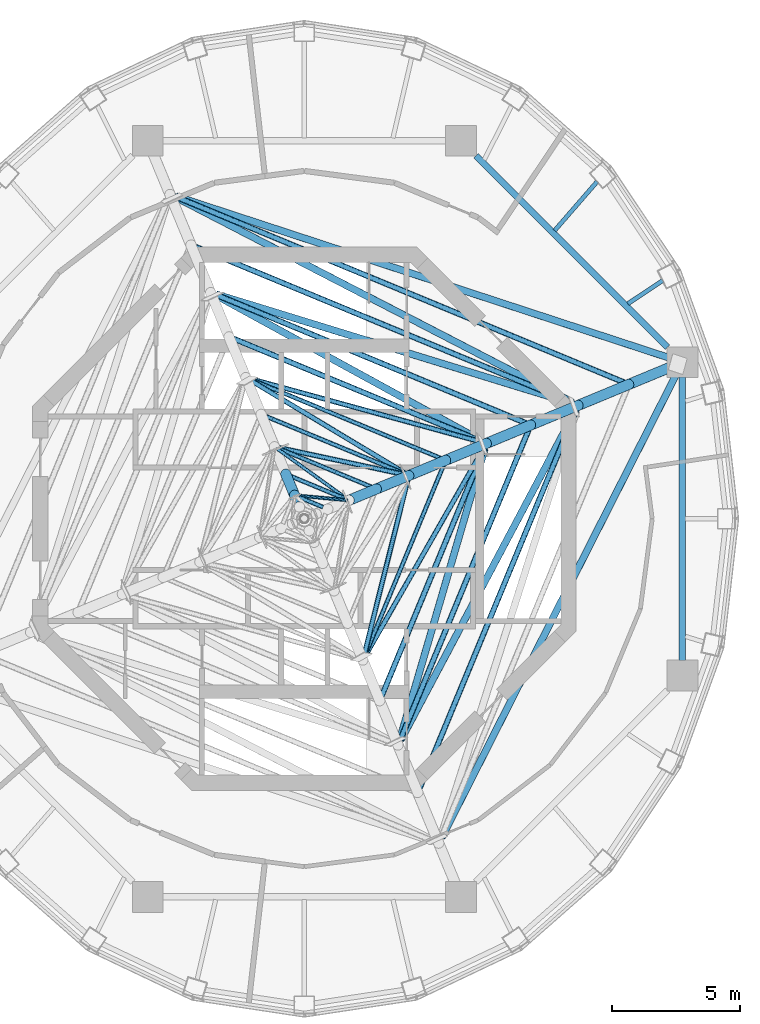
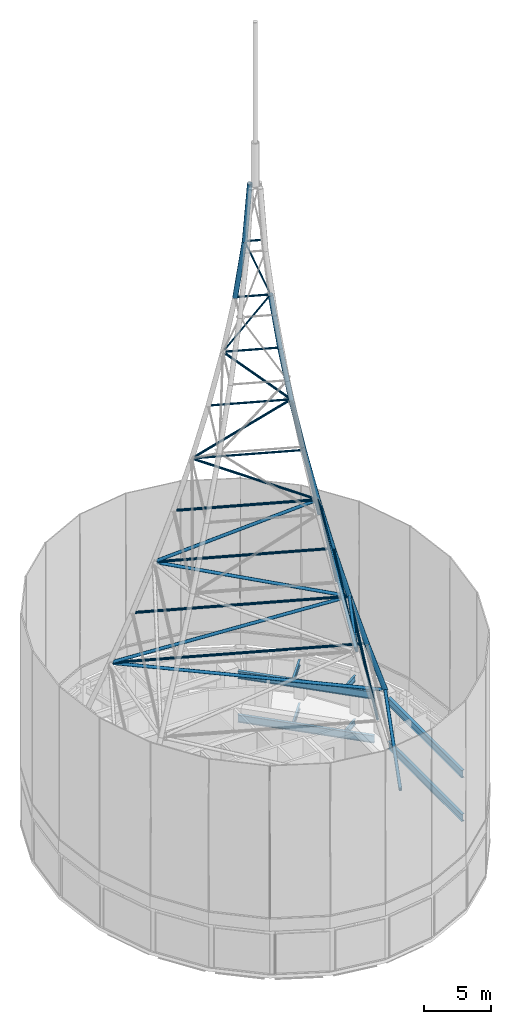
# One storey, part 14 of 25: 37 members, 8 beams.
"""IFC4 building model written with IfcOpenShell, lengths in metres."""

from ifc_helpers import new_model, si_unit, direction, frame, origin, origin_2d, place, context, subcontext, project, spatial, hollow_circle, i_section, extrude, material, material_profile, profile_set, type_object, element, save


model = new_model("IFC4")

# Units and contexts
model_context = context("Model", 3, precision=1e-05, world=origin(), true_north=direction((0.0, 1.0)))
body_context = subcontext(model_context, "Body", "Model", "MODEL_VIEW")
ifc_project = project(units=[si_unit("LENGTHUNIT", "METRE"), si_unit("AREAUNIT", "SQUARE_METRE"), si_unit("VOLUMEUNIT", "CUBIC_METRE"), si_unit("PLANEANGLEUNIT", "RADIAN"), si_unit("MASSUNIT", "GRAM", prefix="KILO")], contexts=[model_context])

# Site, building, storey
site_placement = place(None, origin())
site = spatial("IfcSite", under=ifc_project, at=site_placement, CompositionType="ELEMENT")
building_placement = place(site_placement, origin())
building = spatial("IfcBuilding", under=site, at=building_placement, Name="Nagisa Residences", CompositionType="ELEMENT")
storey_placement = place(building_placement, frame((0.0, 0.0, 340.89990234375)))
storey = spatial("IfcBuildingStorey", under=building, at=storey_placement, Name="L84", CompositionType="ELEMENT", Elevation=340.89990234375)

# Beams
ifc_material_1 = material(Name="Steel ASTM A572 Gr 50", Category="steel")
ifc_material_profile_1 = material_profile(ifc_material_1, i_section(OverallWidth=0.2529296875, OverallDepth=0.677978515625, WebThickness=0.01171875, FlangeThickness=0.016357421875, at=origin_2d()), Name="W690x125")
ifc_profile_set_1 = profile_set([ifc_material_profile_1], Name="Steel ASTM A572 Gr 50")
beam_type_1 = type_object("IfcBeamType", Name="Inner ring beam W690x125", PredefinedType="BEAM", material=ifc_profile_set_1)
beam_1_placement = place(storey_placement, frame((14.1962890625, 6.708740234375, -0.638916015625), z_axis=(-0.707106781187, 0.707106781187, 0.0), x_axis=(-0.707106781187, -0.707106781187, 0.0)))
element("IfcBeam", 1, at=beam_1_placement, inside=storey, type_object=beam_type_1, Name="beam:L84:ib1", PredefinedType="BEAM", context=body_context, shape_type="SweptSolid", body=[
    extrude(i_section(OverallWidth=0.2529296875, OverallDepth=0.677978515625, WebThickness=0.01171875, FlangeThickness=0.016357421875, at=origin_2d()), origin(), (0.0, 0.0, 1.0), 10.589111328125),
])
beam_2_placement = place(storey_placement, frame((14.781982421875, -5.54296875, -0.638916015625), z_axis=(0.0, 1.0, 0.0), x_axis=(-1.0, 0.0, 0.0)))
element("IfcBeam", 2, at=beam_2_placement, inside=storey, type_object=beam_type_1, Name="beam:L84:ib8", PredefinedType="BEAM", context=body_context, shape_type="SweptSolid", body=[
    extrude(i_section(OverallWidth=0.2529296875, OverallDepth=0.677978515625, WebThickness=0.01171875, FlangeThickness=0.016357421875, at=origin_2d()), origin(), (0.0, 0.0, 1.0), 11.0859375),
])
beam_3_placement = place(storey_placement, frame((14.1962890625, 6.708740234375, 3.361083984375), z_axis=(-0.707106781187, 0.707106781187, 0.0), x_axis=(-0.707106781187, -0.707106781187, 0.0)))
element("IfcBeam", 3, at=beam_3_placement, inside=storey, type_object=beam_type_1, Name="beam:L84:rib1", PredefinedType="BEAM", context=body_context, shape_type="SweptSolid", body=[
    extrude(i_section(OverallWidth=0.2529296875, OverallDepth=0.677978515625, WebThickness=0.01171875, FlangeThickness=0.016357421875, at=origin_2d()), origin(), (0.0, 0.0, 1.0), 10.589111328125),
])
beam_4_placement = place(storey_placement, frame((14.781982421875, -5.54296875, 3.361083984375), z_axis=(0.0, 1.0, 0.0), x_axis=(-1.0, 0.0, 0.0)))
element("IfcBeam", 4, at=beam_4_placement, inside=storey, type_object=beam_type_1, Name="beam:L84:rib8", PredefinedType="BEAM", context=body_context, shape_type="SweptSolid", body=[
    extrude(i_section(OverallWidth=0.2529296875, OverallDepth=0.677978515625, WebThickness=0.01171875, FlangeThickness=0.016357421875, at=origin_2d()), origin(), (0.0, 0.0, 1.0), 11.0859375),
])

# Members
ifc_material_2 = material(Name="Steel ASTM A572 Gr 50", Category="steel")
ifc_material_profile_2 = material_profile(ifc_material_2, hollow_circle(Radius=0.06982421875, WallThickness=0.0048828125, at=origin_2d()), Name="MAST BRACE CHS 139.7x5")
ifc_profile_set_2 = profile_set([ifc_material_profile_2], Name="Steel ASTM A572 Gr 50")
member_type_1 = type_object("IfcMemberType", Name="MAST BRACE CHS 139.7x5", PredefinedType="BRACE", material=ifc_profile_set_2)
member_1_placement = place(storey_placement, frame((-1.04541015625, 2.729736328125, 42.72998046875), z_axis=(0.443520526364, -0.318968018503, 0.837585187229), x_axis=(0.583862499156, 0.811852561787, 0.0)))
element("IfcMember", 5, at=member_1_placement, inside=storey, type_object=member_type_1, Name="Mast brace 8.1", PredefinedType="BRACE", context=body_context, shape_type="SweptSolid", body=[
    extrude(hollow_circle(Radius=0.06982421875, WallThickness=0.0048828125, at=origin_2d()), origin(), (0.0, 0.0, 1.0), 6.017578125),
])
member_2_placement = place(storey_placement, frame((1.646484375, 0.73193359375, 48.255859375), z_axis=(-0.360259980756, 0.032987331065, 0.932268514032), x_axis=(-0.091183894816, -0.995834071182, 0.0)))
element("IfcMember", 6, at=member_2_placement, inside=storey, type_object=member_type_1, Name="Mast brace 9.1", PredefinedType="BRACE", context=body_context, shape_type="SweptSolid", body=[
    extrude(hollow_circle(Radius=0.06982421875, WallThickness=0.0048828125, at=origin_2d()), origin(), (0.0, 0.0, 1.0), 5.35107421875),
])
ifc_material_3 = material(Name="Steel ASTM A572 Gr 50", Category="steel")
ifc_material_profile_3 = material_profile(ifc_material_3, hollow_circle(Radius=0.096923828125, WallThickness=0.008056640625, at=origin_2d()), Name="MAST BRACE CHS 193.7x8")
ifc_profile_set_3 = profile_set([ifc_material_profile_3], Name="Steel ASTM A572 Gr 50")
member_type_2 = type_object("IfcMemberType", Name="MAST BRACE CHS 193.7x8", PredefinedType="BRACE", material=ifc_profile_set_3)
for number, where, z_axis, x_axis, name in (
    (7, (6.888427734375, 3.011962890625, 26.134765625), (-0.840119997621, 0.230195109171, 0.491129923046), (-0.264262106498, -0.964450900289, 0.0), "Mast brace 5.1"),
    (8, (7.00048828125, 2.7412109375, 26.134765625), (-0.431263802223, -0.75683907636, 0.491127422759), (0.868843676353, -0.495086523813, 0.0), "Mast brace 5.4"),
):
    element("IfcMember", number, at=place(storey_placement, frame(where, z_axis=z_axis, x_axis=x_axis)), inside=storey, type_object=member_type_2, Name=name, PredefinedType="BRACE", context=body_context, shape_type="SweptSolid", body=[
        extrude(hollow_circle(Radius=0.096923828125, WallThickness=0.008056640625, at=origin_2d()), origin(), (0.0, 0.0, 1.0), 10.72998046875),
    ])
for number, where, z_axis, x_axis, name in (
    (9, (-2.10009765625, 5.4130859375, 31.6630859375), (0.68912796394, -0.414396849892, 0.594455969871), (0.515336820431, 0.856987725413, 0.0), "Mast brace 6.1"),
    (10, (2.342529296875, -5.3125, 31.6630859375), (0.194282795842, 0.780300971982, 0.594461595364), (-0.970373934134, 0.241608004738, 0.0), "Mast brace 6.4"),
):
    element("IfcMember", number, at=place(storey_placement, frame(where, z_axis=z_axis, x_axis=x_axis)), inside=storey, type_object=member_type_2, Name=name, PredefinedType="BRACE", context=body_context, shape_type="SweptSolid", body=[
        extrude(hollow_circle(Radius=0.096923828125, WallThickness=0.008056640625, at=origin_2d()), origin(), (0.0, 0.0, 1.0), 8.703369140625),
    ])
member_3_placement = place(storey_placement, frame((3.8994140625, 1.73291015625, 37.1962890625), z_axis=(-0.68330204208, 0.146241134606, 0.715340373416), x_axis=(-0.209281796845, -0.977855372491, 0.0)))
element("IfcMember", 11, at=member_3_placement, inside=storey, type_object=member_type_2, Name="Mast brace 7.1", PredefinedType="BRACE", context=body_context, shape_type="SweptSolid", body=[
    extrude(hollow_circle(Radius=0.096923828125, WallThickness=0.008056640625, at=origin_2d()), origin(), (0.0, 0.0, 1.0), 7.14013671875),
])
ifc_material_4 = material(Name="Steel ASTM A572 Gr 50", Category="steel")
ifc_material_profile_4 = material_profile(ifc_material_4, hollow_circle(Radius=0.136474609375, WallThickness=0.010009765625, at=origin_2d()), Name="MAST BRACE CHS 273x10")
ifc_profile_set_4 = profile_set([ifc_material_profile_4], Name="Steel ASTM A572 Gr 50")
member_type_3 = type_object("IfcMemberType", Name="MAST BRACE CHS 273x10", PredefinedType="BRACE", material=ifc_profile_set_4)
member_4_placement = place(storey_placement, frame((14.52978515625, 6.20556640625, 4.0693359375), z_axis=(-0.91951557411, 0.301314343662, 0.252390125149), x_axis=(-0.311395601831, -0.950280368712, 0.0)))
element("IfcMember", 12, at=member_4_placement, inside=storey, type_object=member_type_3, Name="Mast brace 1.1", PredefinedType="BRACE", context=body_context, shape_type="SweptSolid", body=[
    extrude(hollow_circle(Radius=0.136474609375, WallThickness=0.010009765625, at=origin_2d()), origin(), (0.0, 0.0, 1.0), 21.2431640625),
])
member_5_placement = place(storey_placement, frame((14.662109375, 5.88623046875, 4.0693359375), z_axis=(-0.437129394853, -0.863260450478, 0.252387176369), x_axis=(0.892142373885, -0.451754341118, 0.0)))
element("IfcMember", 13, at=member_5_placement, inside=storey, type_object=member_type_3, Name="Mast brace 1.4", PredefinedType="BRACE", context=body_context, shape_type="SweptSolid", body=[
    extrude(hollow_circle(Radius=0.136474609375, WallThickness=0.010009765625, at=origin_2d()), origin(), (0.0, 0.0, 1.0), 21.243408203125),
])
member_6_placement = place(storey_placement, frame((-5.02294921875, 12.568603515625, 9.580322265625), z_axis=(0.849438710788, -0.439109704822, 0.292637222078), x_axis=(0.459212398546, 0.888326501362, 0.0)))
element("IfcMember", 14, at=member_6_placement, inside=storey, type_object=member_type_3, Name="Mast brace 2.1", PredefinedType="BRACE", context=body_context, shape_type="SweptSolid", body=[
    extrude(hollow_circle(Radius=0.136474609375, WallThickness=0.010009765625, at=origin_2d()), origin(), (0.0, 0.0, 1.0), 18.24658203125),
])
for number, where, z_axis, x_axis, name in (
    (15, (10.463134765625, 4.511474609375, 15.09423828125), (-0.897784827489, 0.275668239241, 0.343495888484), (-0.293528203344, -0.955950413903, 0.0), "Mast brace 3.1"),
    (16, (10.588623046875, 4.208251953125, 15.09423828125), (-0.439902935363, -0.829755899255, 0.343497532903), (0.883514600633, -0.468403619188, 0.0), "Mast brace 3.4"),
):
    element("IfcMember", number, at=place(storey_placement, frame(where, z_axis=z_axis, x_axis=x_axis)), inside=storey, type_object=member_type_3, Name=name, PredefinedType="BRACE", context=body_context, shape_type="SweptSolid", body=[
        extrude(hollow_circle(Radius=0.136474609375, WallThickness=0.010009765625, at=origin_2d()), origin(), (0.0, 0.0, 1.0), 15.463134765625),
    ])
member_7_placement = place(storey_placement, frame((-3.446044921875, 8.729736328125, 20.612060546875), z_axis=(0.800760703492, -0.438175259165, 0.408392872119), x_axis=(0.480030955112, 0.877251550089, 0.0)))
element("IfcMember", 17, at=member_7_placement, inside=storey, type_object=member_type_3, Name="Mast brace 4.1", PredefinedType="BRACE", context=body_context, shape_type="SweptSolid", body=[
    extrude(hollow_circle(Radius=0.136474609375, WallThickness=0.010009765625, at=origin_2d()), origin(), (0.0, 0.0, 1.0), 12.919189453125),
])
member_8_placement = place(storey_placement, frame((3.736083984375, -8.609619140625, 20.612060546875), z_axis=(0.256398149519, 0.876058506307, 0.408388886296), x_axis=(-0.959740129464, 0.280889451381, 0.0)))
element("IfcMember", 18, at=member_8_placement, inside=storey, type_object=member_type_3, Name="Mast brace 4.4", PredefinedType="BRACE", context=body_context, shape_type="SweptSolid", body=[
    extrude(hollow_circle(Radius=0.136474609375, WallThickness=0.010009765625, at=origin_2d()), origin(), (0.0, 0.0, 1.0), 12.91943359375),
])
ifc_material_5 = material(Name="Steel ASTM A572 Gr 50", Category="steel")
ifc_material_profile_5 = material_profile(ifc_material_5, hollow_circle(Radius=0.203125, WallThickness=0.01611328125, at=origin_2d()), Name="MAST LEG CHS 406.4x16")
ifc_profile_set_5 = profile_set([ifc_material_profile_5], Name="Steel ASTM A572 Gr 50")
member_type_4 = type_object("IfcMemberType", Name="MAST LEG CHS 406.4x16", PredefinedType="CHORD", material=ifc_profile_set_5)
member_9_placement = place(storey_placement, frame((14.781982421875, 6.123046875, 4.0), z_axis=(-0.351832029823, -0.145748429527, 0.924646753134), x_axis=(0.382716673376, -0.923865762933, 0.0)))
element("IfcMember", 19, at=member_9_placement, inside=storey, type_object=member_type_4, Name="Mast leg 1 segment 1", PredefinedType="CHORD", context=body_context, shape_type="SweptSolid", body=[
    extrude(hollow_circle(Radius=0.203125, WallThickness=0.01611328125, at=origin_2d()), origin(), (0.0, 0.0, 1.0), 5.9482421875),
])
member_10_placement = place(storey_placement, frame((12.689208984375, 5.256103515625, 9.5), z_axis=(-0.335395040699, -0.138931057061, 0.931776973346), x_axis=(0.382697263049, -0.923873803533, 0.0)))
element("IfcMember", 20, at=member_10_placement, inside=storey, type_object=member_type_4, Name="Mast leg 1 segment 2", PredefinedType="CHORD", context=body_context, shape_type="SweptSolid", body=[
    extrude(hollow_circle(Radius=0.203125, WallThickness=0.01611328125, at=origin_2d()), origin(), (0.0, 0.0, 1.0), 5.902587890625),
])
member_11_placement = place(storey_placement, frame((10.70947265625, 4.43603515625, 15.0), z_axis=(-0.317517391622, -0.131517312665, 0.939087803396), x_axis=(0.382676733532, -0.92388230723, 0.0)))
element("IfcMember", 21, at=member_11_placement, inside=storey, type_object=member_type_4, Name="Mast leg 1 segment 3", PredefinedType="CHORD", context=body_context, shape_type="SweptSolid", body=[
    extrude(hollow_circle(Radius=0.203125, WallThickness=0.01611328125, at=origin_2d()), origin(), (0.0, 0.0, 1.0), 5.856689453125),
])
member_12_placement = place(storey_placement, frame((8.849853515625, 3.665771484375, 20.5), z_axis=(-0.297908402257, -0.123407190046, 0.94658398957), x_axis=(0.382708551152, -0.923869127569, 0.0)))
element("IfcMember", 22, at=member_12_placement, inside=storey, type_object=member_type_4, Name="Mast leg 1 segment 4", PredefinedType="CHORD", context=body_context, shape_type="SweptSolid", body=[
    extrude(hollow_circle(Radius=0.203125, WallThickness=0.01611328125, at=origin_2d()), origin(), (0.0, 0.0, 1.0), 5.810302734375),
])
member_13_placement = place(storey_placement, frame((7.118896484375, 2.94873046875, 26.0), z_axis=(-0.276261043536, -0.114409855656, 0.954248511004), x_axis=(0.382622871245, -0.923904615423, 0.0)))
element("IfcMember", 23, at=member_13_placement, inside=storey, type_object=member_type_4, Name="Mast leg 1 segment 5", PredefinedType="CHORD", context=body_context, shape_type="SweptSolid", body=[
    extrude(hollow_circle(Radius=0.203125, WallThickness=0.01611328125, at=origin_2d()), origin(), (0.0, 0.0, 1.0), 5.763671875),
])
member_14_placement = place(storey_placement, frame((5.526611328125, 2.289306640625, 31.5), z_axis=(-0.251889076375, -0.10433452248, 0.962115481957), x_axis=(0.382679208557, -0.923881282059, 0.0)))
element("IfcMember", 24, at=member_14_placement, inside=storey, type_object=member_type_4, Name="Mast leg 1 segment 6", PredefinedType="CHORD", context=body_context, shape_type="SweptSolid", body=[
    extrude(hollow_circle(Radius=0.203125, WallThickness=0.01611328125, at=origin_2d()), origin(), (0.0, 0.0, 1.0), 5.716552734375),
])
member_15_placement = place(storey_placement, frame((4.086669921875, 1.69287109375, 37.0), z_axis=(-0.223899379273, -0.092763851309, 0.970187577663), x_axis=(0.382759827652, -0.923847884847, 0.0)))
element("IfcMember", 25, at=member_15_placement, inside=storey, type_object=member_type_4, Name="Mast leg 1 segment 7", PredefinedType="CHORD", context=body_context, shape_type="SweptSolid", body=[
    extrude(hollow_circle(Radius=0.203125, WallThickness=0.01611328125, at=origin_2d()), origin(), (0.0, 0.0, 1.0), 5.6689453125),
])
member_16_placement = place(storey_placement, frame((2.8173828125, 1.1669921875, 42.5), z_axis=(-0.190714784047, -0.079004826277, 0.978461092007), x_axis=(0.382717239022, -0.923865528611, 0.0)))
element("IfcMember", 26, at=member_16_placement, inside=storey, type_object=member_type_4, Name="Mast leg 1 segment 8", PredefinedType="CHORD", context=body_context, shape_type="SweptSolid", body=[
    extrude(hollow_circle(Radius=0.203125, WallThickness=0.01611328125, at=origin_2d()), origin(), (0.0, 0.0, 1.0), 5.62109375),
])
member_17_placement = place(storey_placement, frame((-0.722900390625, 1.745361328125, 48.0), z_axis=(0.061511485435, -0.148565133269, 0.986987709314), x_axis=(0.923937146753, 0.382544309655, 0.0)))
element("IfcMember", 27, at=member_17_placement, inside=storey, type_object=member_type_4, Name="Mast leg 2 segment 9", PredefinedType="CHORD", context=body_context, shape_type="SweptSolid", body=[
    extrude(hollow_circle(Radius=0.203125, WallThickness=0.01611328125, at=origin_2d()), origin(), (0.0, 0.0, 1.0), 5.572509765625),
])
member_18_placement = place(storey_placement, frame((-0.380126953125, 0.91748046875, 53.5), z_axis=(0.034000491459, -0.08201679019, 0.996050808296), x_axis=(0.923767895633, 0.382952836519, 0.0)))
element("IfcMember", 28, at=member_18_placement, inside=storey, type_object=member_type_4, Name="Mast leg 2 segment 10", PredefinedType="CHORD", context=body_context, shape_type="SweptSolid", body=[
    extrude(hollow_circle(Radius=0.203125, WallThickness=0.01611328125, at=origin_2d()), origin(), (0.0, 0.0, 1.0), 5.521728515625),
])
ifc_material_6 = material(Name="Steel ASTM A572 Gr 50", Category="steel")
ifc_material_profile_6 = material_profile(ifc_material_6, hollow_circle(Radius=0.084228515625, WallThickness=0.00634765625, at=origin_2d()), Name="MAST RING CHS 168.3x6.3")
ifc_profile_set_6 = profile_set([ifc_material_profile_6], Name="Steel ASTM A572 Gr 50")
member_type_5 = type_object("IfcMemberType", Name="MAST RING CHS 168.3x6.3", PredefinedType="STRUT", material=ifc_profile_set_6)
for number, where, z_axis, x_axis, name in (
    (29, (5.3388671875, 2.366943359375, 31.5), (-0.923874950825, 0.382694493346, 0.0), (-0.382694493346, -0.923874950825, 0.0), "Mast ring 5 side 1"),
    (30, (2.366943359375, -5.3388671875, 31.5), (0.382694493346, 0.923874950825, 0.0), (-0.923874950825, 0.382694493346, 0.0), "Mast ring 5 side 4"),
):
    element("IfcMember", number, at=place(storey_placement, frame(where, z_axis=z_axis, x_axis=x_axis)), inside=storey, type_object=member_type_5, Name=name, PredefinedType="STRUT", context=body_context, shape_type="SweptSolid", body=[
        extrude(hollow_circle(Radius=0.084228515625, WallThickness=0.00634765625, at=origin_2d()), origin(), (0.0, 0.0, 1.0), 8.053466796875),
    ])
member_19_placement = place(storey_placement, frame((3.89892578125, 1.7705078125, 37.0), z_axis=(-0.923873883606, 0.382697069744, 0.0), x_axis=(-0.382697069744, -0.923873883606, 0.0)))
element("IfcMember", 31, at=member_19_placement, inside=storey, type_object=member_type_5, Name="Mast ring 6 side 1", PredefinedType="STRUT", context=body_context, shape_type="SweptSolid", body=[
    extrude(hollow_circle(Radius=0.084228515625, WallThickness=0.00634765625, at=origin_2d()), origin(), (0.0, 0.0, 1.0), 5.849365234375),
])
member_20_placement = place(storey_placement, frame((2.629638671875, 1.24462890625, 42.5), z_axis=(-0.923877430595, 0.382688506801, 0.0), x_axis=(-0.382688506801, -0.923877430595, 0.0)))
element("IfcMember", 32, at=member_20_placement, inside=storey, type_object=member_type_5, Name="Mast ring 7 side 1", PredefinedType="STRUT", context=body_context, shape_type="SweptSolid", body=[
    extrude(hollow_circle(Radius=0.084228515625, WallThickness=0.00634765625, at=origin_2d()), origin(), (0.0, 0.0, 1.0), 3.90625),
])
member_21_placement = place(storey_placement, frame((1.5576171875, 0.80078125, 48.0), z_axis=(-0.923903867645, 0.382624676871, 0.0), x_axis=(-0.382624676871, -0.923903867645, 0.0)))
element("IfcMember", 33, at=member_21_placement, inside=storey, type_object=member_type_5, Name="Mast ring 8 side 1", PredefinedType="STRUT", context=body_context, shape_type="SweptSolid", body=[
    extrude(hollow_circle(Radius=0.084228515625, WallThickness=0.00634765625, at=origin_2d()), origin(), (0.0, 0.0, 1.0), 2.26513671875),
])
member_22_placement = place(storey_placement, frame((0.729736328125, 0.457763671875, 53.5), z_axis=(-0.92392143999, 0.382582243088, 0.0), x_axis=(-0.382582243088, -0.92392143999, 0.0)))
element("IfcMember", 34, at=member_22_placement, inside=storey, type_object=member_type_5, Name="Mast ring 9 side 1", PredefinedType="STRUT", context=body_context, shape_type="SweptSolid", body=[
    extrude(hollow_circle(Radius=0.084228515625, WallThickness=0.00634765625, at=origin_2d()), origin(), (0.0, 0.0, 1.0), 0.998046875),
])
ifc_material_7 = material(Name="Steel ASTM A572 Gr 50", Category="steel")
ifc_material_profile_7 = material_profile(ifc_material_7, hollow_circle(Radius=0.109619140625, WallThickness=0.008056640625, at=origin_2d()), Name="MAST RING CHS 219.1x8")
ifc_profile_set_7 = profile_set([ifc_material_profile_7], Name="Steel ASTM A572 Gr 50")
member_type_6 = type_object("IfcMemberType", Name="MAST RING CHS 219.1x8", PredefinedType="STRUT", material=ifc_profile_set_7)
member_23_placement = place(storey_placement, frame((12.50146484375, 5.333740234375, 9.5), z_axis=(-0.923880863425, 0.38268021924, 0.0), x_axis=(-0.38268021924, -0.923880863425, 0.0)))
element("IfcMember", 35, at=member_23_placement, inside=storey, type_object=member_type_6, Name="Mast ring 1 side 1", PredefinedType="STRUT", context=body_context, shape_type="SweptSolid", body=[
    extrude(hollow_circle(Radius=0.109619140625, WallThickness=0.008056640625, at=origin_2d()), origin(), (0.0, 0.0, 1.0), 19.017333984375),
])
for number, where, z_axis, x_axis, name in (
    (36, (10.521728515625, 4.513671875, 15.0), (-0.923880029758, 0.382682231904, 0.0), (-0.382682231904, -0.923880029758, 0.0), "Mast ring 2 side 1"),
    (37, (4.513671875, -10.521728515625, 15.0), (0.382682231904, 0.923880029758, 0.0), (-0.923880029758, 0.382682231904, 0.0), "Mast ring 2 side 4"),
):
    element("IfcMember", number, at=place(storey_placement, frame(where, z_axis=z_axis, x_axis=x_axis)), inside=storey, type_object=member_type_6, Name=name, PredefinedType="STRUT", context=body_context, shape_type="SweptSolid", body=[
        extrude(hollow_circle(Radius=0.109619140625, WallThickness=0.008056640625, at=origin_2d()), origin(), (0.0, 0.0, 1.0), 15.987060546875),
    ])
for number, where, z_axis, x_axis, name in (
    (38, (8.662109375, 3.743408203125, 20.5), (-0.923880738559, 0.382680520695, 0.0), (-0.382680520695, -0.923880738559, 0.0), "Mast ring 3 side 1"),
    (39, (3.743408203125, -8.662109375, 20.5), (0.382680520695, 0.923880738559, 0.0), (-0.923880738559, 0.382680520695, 0.0), "Mast ring 3 side 4"),
):
    element("IfcMember", number, at=place(storey_placement, frame(where, z_axis=z_axis, x_axis=x_axis)), inside=storey, type_object=member_type_6, Name=name, PredefinedType="STRUT", context=body_context, shape_type="SweptSolid", body=[
        extrude(hollow_circle(Radius=0.109619140625, WallThickness=0.008056640625, at=origin_2d()), origin(), (0.0, 0.0, 1.0), 13.140380859375),
    ])
for number, where, z_axis, x_axis, name in (
    (40, (6.93115234375, 3.0263671875, 26.0), (-0.923878415259, 0.382686129639, 0.0), (-0.382686129639, -0.923878415259, 0.0), "Mast ring 4 side 1"),
    (41, (3.0263671875, -6.93115234375, 26.0), (0.382686129639, 0.923878415259, 0.0), (-0.923878415259, 0.382686129639, 0.0), "Mast ring 4 side 4"),
):
    element("IfcMember", number, at=place(storey_placement, frame(where, z_axis=z_axis, x_axis=x_axis)), inside=storey, type_object=member_type_6, Name=name, PredefinedType="STRUT", context=body_context, shape_type="SweptSolid", body=[
        extrude(hollow_circle(Radius=0.109619140625, WallThickness=0.008056640625, at=origin_2d()), origin(), (0.0, 0.0, 1.0), 10.49072265625),
    ])

# Beams
ifc_material_8 = material(Name="Steel ASTM A572 Gr 50", Category="steel")
ifc_material_profile_8 = material_profile(ifc_material_8, i_section(OverallWidth=0.166015625, OverallDepth=0.534912109375, WebThickness=0.01025390625, FlangeThickness=0.0166015625, at=origin_2d()), Name="W530x85")
ifc_profile_set_8 = profile_set([ifc_material_profile_8], Name="Steel ASTM A572 Gr 50")
beam_type_2 = type_object("IfcBeamType", Name="Radial beam W530x85", PredefinedType="BEAM", material=ifc_profile_set_8)
beam_5_placement = place(storey_placement, frame((14.012451171875, 9.31591796875, -0.5673828125), z_axis=(-0.832714310154, -0.553702878505, 0.0), x_axis=(0.553702878505, -0.832714310154, 0.0)))
element("IfcBeam", 42, at=beam_5_placement, inside=storey, type_object=beam_type_2, Name="beam:L84:rb03", PredefinedType="BEAM", context=body_context, shape_type="SweptSolid", body=[
    extrude(i_section(OverallWidth=0.166015625, OverallDepth=0.534912109375, WebThickness=0.01025390625, FlangeThickness=0.0166015625, at=origin_2d()), origin(), (0.0, 0.0, 1.0), 1.638916015625),
])
beam_6_placement = place(storey_placement, frame((11.44873046875, 13.183349609375, -0.5673828125), z_axis=(-0.655718438616, -0.755005516045, 0.0), x_axis=(0.755005516045, -0.655718438616, 0.0)))
element("IfcBeam", 43, at=beam_6_placement, inside=storey, type_object=beam_type_2, Name="beam:L84:rb04", PredefinedType="BEAM", context=body_context, shape_type="SweptSolid", body=[
    extrude(i_section(OverallWidth=0.166015625, OverallDepth=0.534912109375, WebThickness=0.01025390625, FlangeThickness=0.0166015625, at=origin_2d()), origin(), (0.0, 0.0, 1.0), 2.53515625),
])
beam_7_placement = place(storey_placement, frame((14.012451171875, 9.31591796875, 3.4326171875), z_axis=(-0.832714310154, -0.553702878505, 0.0), x_axis=(0.553702878505, -0.832714310154, 0.0)))
element("IfcBeam", 44, at=beam_7_placement, inside=storey, type_object=beam_type_2, Name="beam:L84:rrb03", PredefinedType="BEAM", context=body_context, shape_type="SweptSolid", body=[
    extrude(i_section(OverallWidth=0.166015625, OverallDepth=0.534912109375, WebThickness=0.01025390625, FlangeThickness=0.0166015625, at=origin_2d()), origin(), (0.0, 0.0, 1.0), 1.638916015625),
])
beam_8_placement = place(storey_placement, frame((11.44873046875, 13.183349609375, 3.4326171875), z_axis=(-0.655718438616, -0.755005516045, 0.0), x_axis=(0.755005516045, -0.655718438616, 0.0)))
element("IfcBeam", 45, at=beam_8_placement, inside=storey, type_object=beam_type_2, Name="beam:L84:rrb04", PredefinedType="BEAM", context=body_context, shape_type="SweptSolid", body=[
    extrude(i_section(OverallWidth=0.166015625, OverallDepth=0.534912109375, WebThickness=0.01025390625, FlangeThickness=0.0166015625, at=origin_2d()), origin(), (0.0, 0.0, 1.0), 2.53515625),
])

save(model, "model.ifc")
